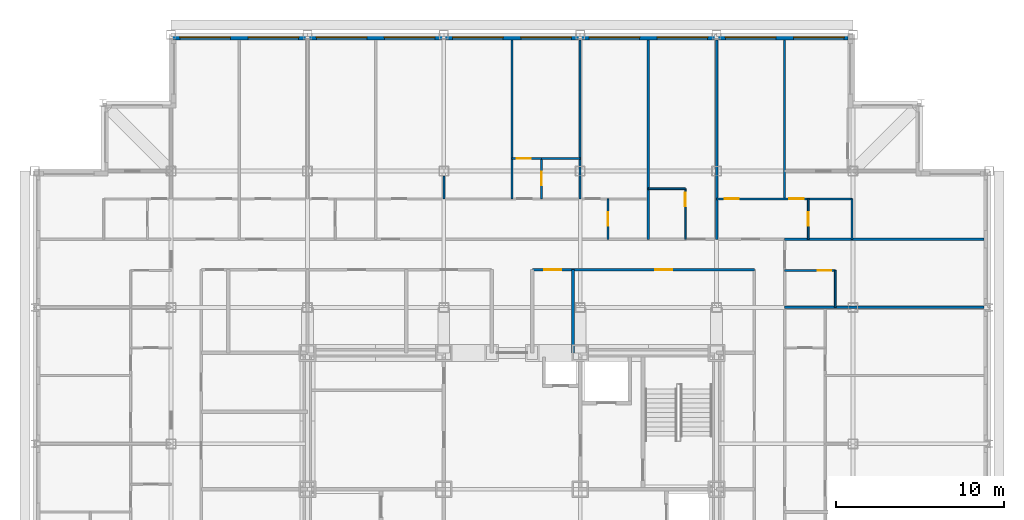
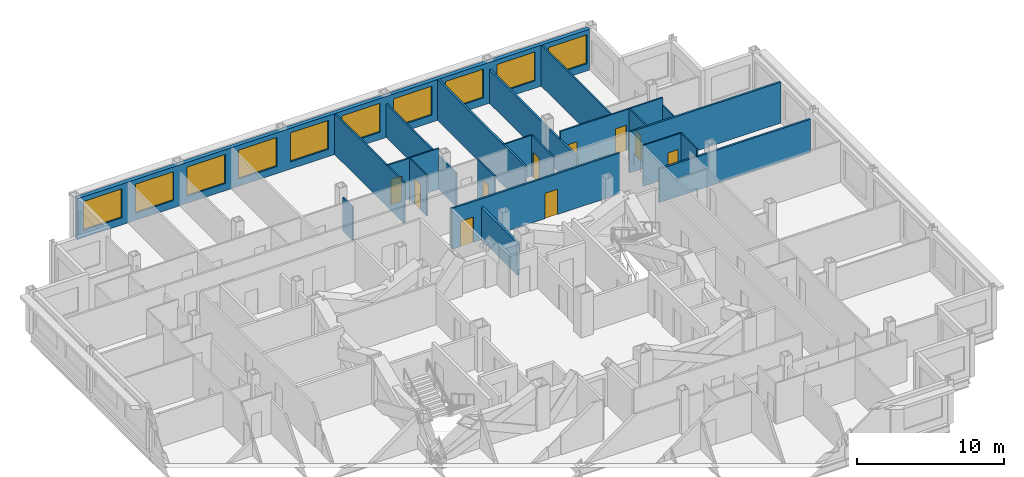
# One storey, part 10 of 12: 22 walls, 10 doors, 10 windows, 20 openings.
"""IFC4 building model written with IfcOpenShell, lengths in metres."""

import ifcopenshell
import ifcopenshell.guid

model = None  # the IFC model being written
_history = None  # IfcOwnerHistory: only IFC2X3 demands one
_inside = {}  # id of a spatial element -> (the spatial element, [elements in it])
_under = {}  # id of a project, library or spatial element -> (it, [spatial elements below it])
_declared = {}  # id of a project -> (the project, [libraries it declares])
_typed = {}  # id of a type object -> (the type object, [elements of that type])
_made_of = {}  # id of a material, layer set ... -> (it, [elements and type objects made of it])


def new_model(schema):
    """Start an empty IFC model of exactly this schema.

    Asked for "IFC4X3", IfcOpenShell would pick the latest addendum, in which some entities
    have other attributes; the version numbers below select the first issue.
    IFC2X3 requires an IfcOwnerHistory on every rooted entity: one is made here for all.
    """
    global model, _history
    if schema == "IFC4X3":
        model = ifcopenshell.file(schema_version=(4, 3, 0, 0))
    else:
        model = ifcopenshell.file(schema=schema)
    _inside.clear()
    _under.clear()
    _declared.clear()
    _typed.clear()
    _made_of.clear()
    _history = None
    if model.schema == "IFC2X3":
        org = make("IfcOrganization", Name="unknown")
        user = make(
            "IfcPersonAndOrganization",
            ThePerson=make("IfcPerson", FamilyName="unknown"),
            TheOrganization=org,
        )
        app = make(
            "IfcApplication",
            ApplicationDeveloper=org,
            Version="unknown",
            ApplicationFullName="unknown",
            ApplicationIdentifier="unknown",
        )
        _history = make(
            "IfcOwnerHistory",
            OwningUser=user,
            OwningApplication=app,
            ChangeAction="ADDED",
            CreationDate=0,
        )
    return model


def make(cls, **values):
    """One entity of the class cls with the attributes given. An attribute that is None is left unset."""
    return model.create_entity(
        cls, **{name: value for name, value in values.items() if value is not None}
    )


def rooted(cls, **values):
    """An entity with a GlobalId (a new one), such as an element, a storey or a relation."""
    return make(cls, GlobalId=ifcopenshell.guid.new(), OwnerHistory=_history, **values)


def si_unit(unit_type, name, prefix=None):
    """IfcSIUnit, for example si_unit("LENGTHUNIT", "METRE", prefix="MILLI")."""
    return make("IfcSIUnit", UnitType=unit_type, Prefix=prefix, Name=name)


def assignment(units):
    """IfcUnitAssignment: the units of a project."""
    return None if units is None else make("IfcUnitAssignment", Units=units)


def point(xyz):
    """IfcCartesianPoint."""
    return None if xyz is None else make("IfcCartesianPoint", Coordinates=xyz)


def direction(xyz):
    """IfcDirection."""
    return None if xyz is None else make("IfcDirection", DirectionRatios=xyz)


def frame(location, z_axis=None, x_axis=None):
    """IfcAxis2Placement3D, a coordinate frame: its origin and axes. An axis left out is left unset."""
    return make(
        "IfcAxis2Placement3D",
        Location=point(location),
        Axis=direction(z_axis),
        RefDirection=direction(x_axis),
    )


def frame_2d(location, x_axis=None):
    """IfcAxis2Placement2D, a coordinate frame in the plane: its origin and x axis."""
    return make(
        "IfcAxis2Placement2D", Location=point(location), RefDirection=direction(x_axis)
    )


def origin():
    """The frame at (0, 0, 0) with its axes left unset."""
    return frame((0.0, 0.0, 0.0))


def place(relative_to, where):
    """IfcLocalPlacement: puts the frame where relative to a parent placement (None: the world)."""
    return make(
        "IfcLocalPlacement", PlacementRelTo=relative_to, RelativePlacement=where
    )


def context(
    kind, dimensions, precision=None, world=None, true_north=None, identifier=None
):
    """IfcGeometricRepresentationContext, for example the 3D "Model" context."""
    return make(
        "IfcGeometricRepresentationContext",
        ContextIdentifier=identifier,
        ContextType=kind,
        CoordinateSpaceDimension=dimensions,
        Precision=precision,
        WorldCoordinateSystem=world,
        TrueNorth=true_north,
    )


def subcontext(parent, identifier, kind, view, scale=None):
    """IfcGeometricRepresentationSubContext, for example "Body" below "Model"."""
    return make(
        "IfcGeometricRepresentationSubContext",
        ContextIdentifier=identifier,
        ContextType=kind,
        ParentContext=parent,
        TargetScale=scale,
        TargetView=view,
    )


def project(units=None, contexts=None):
    """IfcProject with its units and contexts."""
    return rooted(
        "IfcProject",
        Name="project",
        RepresentationContexts=contexts,
        UnitsInContext=assignment(units),
    )


def spatial(cls, under=None, at=None, **own):
    """A site, building, storey or space (cls), placed at a placement, below another one or the project."""
    s = rooted(cls, ObjectPlacement=at, **own)
    if under is not None:
        _under.setdefault(under.id(), (under, []))[1].append(s)
    return s


def profile(cls, at=None, kind="AREA", **sizes):
    """A parametric profile (cls). Its sizes go by their IFC names, for example OverallWidth=200.0."""
    return make(cls, ProfileType=kind, Position=at, **sizes)


def rectangle(**sizes):
    """IfcRectangleProfileDef."""
    return profile("IfcRectangleProfileDef", **sizes)


def extrude(swept, where, along, depth):
    """IfcExtrudedAreaSolid: the profile swept, set in the frame where, extruded along a direction by depth."""
    return make(
        "IfcExtrudedAreaSolid",
        SweptArea=swept,
        Position=where,
        ExtrudedDirection=direction(along),
        Depth=depth,
    )


def shape(context_of_items, identifier, shape_type, items):
    """IfcShapeRepresentation: the items that make up one representation, for example the "Body"."""
    return make(
        "IfcShapeRepresentation",
        ContextOfItems=context_of_items,
        RepresentationIdentifier=identifier,
        RepresentationType=shape_type,
        Items=items,
    )


def material(Name=None, Category=None):
    """IfcMaterial."""
    return make("IfcMaterial", Name=Name, Category=Category)


def layer(
    of_material, thickness, ventilated=None, Name=None, Category=None, Priority=None
):
    """IfcMaterialLayer: one layer of a wall or slab, of a material (None: an air gap)."""
    return make(
        "IfcMaterialLayer",
        Material=of_material,
        LayerThickness=thickness,
        IsVentilated=ventilated,
        Name=Name,
        Category=Category,
        Priority=Priority,
    )


def layer_set(layers, Name=None):
    """IfcMaterialLayerSet."""
    return make("IfcMaterialLayerSet", MaterialLayers=layers, LayerSetName=Name)


def made_of(thing, what):
    """Note that an element or type object is made of a material, layer set ...; save() writes the relation."""
    if what is not None:
        _made_of.setdefault(what.id(), (what, []))[1].append(thing)
    return thing


def type_object(cls, material=None, **own):
    """A type object (cls), such as IfcWallType, which elements share."""
    return made_of(rooted(cls, **own), material)


def element(
    cls,
    number,
    at=None,
    inside=None,
    cuts=None,
    type_object=None,
    material=None,
    context=None,
    identifier="Body",
    shape_type=None,
    held_by="IfcProductDefinitionShape",
    body=None,
    shapes=None,
    **own,
):
    """One element of the class cls, such as IfcWall. Its Tag is "e" and its number.

    at: its placement. inside: the storey or other place that contains it. cuts: it is an
    opening in that element (IfcRelVoidsElement). A single representation is given by context,
    identifier, shape_type and body (its items); several are given by shapes. held_by: the class
    of the entity that holds the representations. save() writes the other relations.
    """
    e = rooted(cls, Tag="e%d" % number, ObjectPlacement=at, **own)
    if body is not None:
        shapes = [shape(context, identifier, shape_type, body)]
    if shapes is not None:
        e.Representation = make(held_by, Representations=shapes)
    if inside is not None:
        _inside.setdefault(inside.id(), (inside, []))[1].append(e)
    if cuts is not None:
        rooted(
            "IfcRelVoidsElement", RelatingBuildingElement=cuts, RelatedOpeningElement=e
        )
    if type_object is not None:
        _typed.setdefault(type_object.id(), (type_object, []))[1].append(e)
    return made_of(e, material)


def fill(opening, filler):
    """IfcRelFillsElement: the door or window that sits in an opening."""
    return rooted(
        "IfcRelFillsElement",
        RelatingOpeningElement=opening,
        RelatedBuildingElement=filler,
    )


def aggregate(whole, parts):
    """IfcRelAggregates: a whole, such as a stair, and the parts it consists of."""
    return rooted("IfcRelAggregates", RelatingObject=whole, RelatedObjects=parts)


def save(model, path):
    """Write the relations noted so far, then the file.

    IfcRelAggregates (storeys below a building ...), IfcRelContainedInSpatialStructure (elements
    in a storey), IfcRelDefinesByType, IfcRelAssociatesMaterial and IfcRelDeclares: one each for
    every whole, place, type object, material and project.
    """
    for whole, parts in _under.values():
        aggregate(whole, parts)
    for where, things in _inside.values():
        rooted(
            "IfcRelContainedInSpatialStructure",
            RelatedElements=things,
            RelatingStructure=where,
        )
    for kind, things in _typed.values():
        rooted("IfcRelDefinesByType", RelatedObjects=things, RelatingType=kind)
    for what, things in _made_of.values():
        rooted("IfcRelAssociatesMaterial", RelatedObjects=things, RelatingMaterial=what)
    for by, libraries in _declared.values():
        rooted("IfcRelDeclares", RelatingContext=by, RelatedDefinitions=libraries)
    model.write(path)


model = new_model("IFC4")

# Units and contexts
model_context = context("Model", 3, precision=1e-05, world=origin(), true_north=direction((0.0, 1.0)))
body_context = subcontext(model_context, "Body", "Model", "MODEL_VIEW")
ifc_project = project(units=[si_unit("LENGTHUNIT", "METRE"), si_unit("AREAUNIT", "SQUARE_METRE"), si_unit("VOLUMEUNIT", "CUBIC_METRE"), si_unit("PLANEANGLEUNIT", "RADIAN"), si_unit("MASSUNIT", "GRAM", prefix="KILO")], contexts=[model_context])

# Site, building, storey
site_placement = place(None, origin())
site = spatial("IfcSite", under=ifc_project, at=site_placement, CompositionType="ELEMENT")
building_placement = place(site_placement, origin())
building = spatial("IfcBuilding", under=site, at=building_placement, Name="Kopane Lantern Tower", CompositionType="ELEMENT")
storey_placement = place(building_placement, frame((0.0, 0.0, 210.0)))
storey = spatial("IfcBuildingStorey", under=building, at=storey_placement, Name="L54", CompositionType="ELEMENT", Elevation=210.0)

# Walls
ifc_material_1 = material(Name="Gypsum board on steel studs", Category="steel")
ifc_layer_1 = layer(ifc_material_1, 0.1201171875)
ifc_layer_set_1 = layer_set([ifc_layer_1], Name="APARTMENT INTERNAL WALL 120")
wall_type_1 = type_object("IfcWallType", Name="APARTMENT INTERNAL WALL 120", PredefinedType="PARTITIONING", material=ifc_layer_set_1)
wall_1_placement = place(storey_placement, frame((28.35009765625, 49.64990234375, 0.0), z_axis=(0.0, 0.0, 1.0), x_axis=(0.0, 1.0, 0.0)))
element("IfcWall", 1, at=wall_1_placement, inside=storey, type_object=wall_type_1, Name="Apartment Internal Wall 120 L54", PredefinedType="PARTITIONING", context=body_context, shape_type="SweptSolid", body=[
    extrude(rectangle(XDim=9.4501953125, YDim=0.1201171875, at=frame_2d((4.72509765625, 0.0))), origin(), (0.0, 0.0, 1.0), 3.389892578125),
])
wall_2_placement = place(storey_placement, frame((32.39990234375, 49.64990234375, 0.0), z_axis=(0.0, 0.0, 1.0), x_axis=(0.0, 1.0, 0.0)))
element("IfcWall", 2, at=wall_2_placement, inside=storey, type_object=wall_type_1, Name="Apartment Internal Wall 120 L54", PredefinedType="PARTITIONING", context=body_context, shape_type="SweptSolid", body=[
    extrude(rectangle(XDim=9.4501953125, YDim=0.1201171875, at=frame_2d((4.72509765625, 0.0))), origin(), (0.0, 0.0, 1.0), 2.77783203125),
])

# Wall, openings, doors
wall_3_placement = place(storey_placement, frame((40.5, 49.64990234375, 0.0), z_axis=(0.0, 0.0, 1.0), x_axis=(1.0, 0.0, 0.0)))
wall_3 = element("IfcWall", 3, at=wall_3_placement, inside=storey, type_object=wall_type_1, Name="Apartment Internal Wall 120 L54", PredefinedType="PARTITIONING", context=body_context, shape_type="SweptSolid", body=[
    extrude(rectangle(XDim=8.050048828125, YDim=0.1201171875, at=frame_2d((4.02490234375, 0.0))), origin(), (0.0, 0.0, 1.0), 3.389892578125),
])
opening_1_placement = place(wall_3_placement, frame((0.47509765625, 0.0, 0.0)))
opening_1 = element("IfcOpeningElement", 4, at=opening_1_placement, cuts=wall_3, Name="Opening L54-071", PredefinedType="OPENING", context=body_context, shape_type="SweptSolid", body=[
    extrude(rectangle(XDim=0.85009765625, YDim=2.10009765625, at=frame_2d((0.425048828125, 1.050048828125))), frame((0.0, 0.070068359375, 0.0), z_axis=(0.0, -1.0, 0.0), x_axis=(1.0, 0.0, 0.0)), (0.0, 0.0, 1.0), 0.14013671875),
])
opening_2_placement = place(wall_3_placement, frame((4.324951171875, 0.0, 0.0)))
opening_2 = element("IfcOpeningElement", 5, at=opening_2_placement, cuts=wall_3, Name="Opening L54-073", PredefinedType="OPENING", context=body_context, shape_type="SweptSolid", body=[
    extrude(rectangle(XDim=0.85009765625, YDim=2.10009765625, at=frame_2d((0.425048828125, 1.050048828125))), frame((0.0, 0.070068359375, 0.0), z_axis=(0.0, -1.0, 0.0), x_axis=(1.0, 0.0, 0.0)), (0.0, 0.0, 1.0), 0.14013671875),
])
ifc_material_2 = material(Name="Timber door set", Category="wood")
door_type_1 = type_object("IfcDoorType", Name="DOOR D4 850x2100", OperationType="SINGLE_SWING_LEFT", PredefinedType="DOOR", material=ifc_material_2)
door_1_placement = place(opening_1_placement, origin())
door_1 = element("IfcDoor", 6, at=door_1_placement, inside=storey, type_object=door_type_1, Name="Door L54-071", OperationType="SINGLE_SWING_RIGHT", OverallHeight=2.10009765625, OverallWidth=0.85009765625, PredefinedType="DOOR", context=body_context, shape_type="SweptSolid", body=[
    extrude(rectangle(XDim=0.85009765625, YDim=2.10009765625, at=frame_2d((0.425048828125, 1.050048828125))), frame((0.0, 0.02490234375, 0.0), z_axis=(0.0, -1.0, 0.0), x_axis=(1.0, 0.0, 0.0)), (0.0, 0.0, 1.0), 0.050048828125),
])
fill(opening_1, door_1)
door_2_placement = place(opening_2_placement, origin())
door_2 = element("IfcDoor", 7, at=door_2_placement, inside=storey, type_object=door_type_1, Name="Door L54-073", OperationType="SINGLE_SWING_LEFT", OverallHeight=2.10009765625, OverallWidth=0.85009765625, PredefinedType="DOOR", context=body_context, shape_type="SweptSolid", body=[
    extrude(rectangle(XDim=0.85009765625, YDim=2.10009765625, at=frame_2d((0.425048828125, 1.050048828125))), frame((0.0, 0.02490234375, 0.0), z_axis=(0.0, -1.0, 0.0), x_axis=(1.0, 0.0, 0.0)), (0.0, 0.0, 1.0), 0.050048828125),
])
fill(opening_2, door_2)

# Wall
wall_4_placement = place(storey_placement, frame((44.550048828125, 49.64990234375, 0.0), z_axis=(0.0, 0.0, 1.0), x_axis=(0.0, 1.0, 0.0)))
element("IfcWall", 8, at=wall_4_placement, inside=storey, type_object=wall_type_1, Name="Apartment Internal Wall 120 L54", PredefinedType="PARTITIONING", context=body_context, shape_type="SweptSolid", body=[
    extrude(rectangle(XDim=9.4501953125, YDim=0.1201171875, at=frame_2d((4.72509765625, 0.0))), origin(), (0.0, 0.0, 1.0), 3.389892578125),
])

# Wall, opening, door
wall_5_placement = place(storey_placement, frame((28.35009765625, 52.050048828125, 0.0), z_axis=(0.0, 0.0, 1.0), x_axis=(1.0, 0.0, 0.0)))
wall_5 = element("IfcWall", 9, at=wall_5_placement, inside=storey, type_object=wall_type_1, Name="Apartment Internal Wall 120 L54", PredefinedType="PARTITIONING", context=body_context, shape_type="SweptSolid", body=[
    extrude(rectangle(XDim=1.760009765625, YDim=0.1201171875, at=frame_2d((0.8798828125, 0.0))), origin(), (0.0, 0.0, 1.0), 3.389892578125),
])
opening_3_placement = place(wall_5_placement, frame((0.27490234375, 0.0, 0.0)))
opening_3 = element("IfcOpeningElement", 10, at=opening_3_placement, cuts=wall_5, Name="Opening L54-081", PredefinedType="OPENING", context=body_context, shape_type="SweptSolid", body=[
    extrude(rectangle(XDim=0.85009765625, YDim=2.10009765625, at=frame_2d((0.425048828125, 1.050048828125))), frame((0.0, 0.070068359375, 0.0), z_axis=(0.0, -1.0, 0.0), x_axis=(1.0, 0.0, 0.0)), (0.0, 0.0, 1.0), 0.14013671875),
])
door_3_placement = place(opening_3_placement, origin())
door_3 = element("IfcDoor", 11, at=door_3_placement, inside=storey, type_object=door_type_1, Name="Door L54-081", OperationType="SINGLE_SWING_LEFT", OverallHeight=2.10009765625, OverallWidth=0.85009765625, PredefinedType="DOOR", context=body_context, shape_type="SweptSolid", body=[
    extrude(rectangle(XDim=0.85009765625, YDim=2.10009765625, at=frame_2d((0.425048828125, 1.050048828125))), frame((0.0, 0.02490234375, 0.0), z_axis=(0.0, -1.0, 0.0), x_axis=(1.0, 0.0, 0.0)), (0.0, 0.0, 1.0), 0.050048828125),
])
fill(opening_3, door_3)

# Wall
wall_6_placement = place(storey_placement, frame((24.300048828125, 49.64990234375, 0.0), z_axis=(0.0, 0.0, 1.0), x_axis=(0.0, 1.0, 0.0)))
element("IfcWall", 12, at=wall_6_placement, inside=storey, type_object=wall_type_1, Name="Apartment Internal Wall 120 L54", PredefinedType="PARTITIONING", context=body_context, shape_type="SweptSolid", body=[
    extrude(rectangle(XDim=1.35009765625, YDim=0.1201171875, at=frame_2d((0.675048828125, 0.0))), origin(), (0.0, 0.0, 1.0), 2.77783203125),
])

# Wall, opening, door
ifc_material_3 = material(Name="Moisture-resistant board on steel studs", Category="steel")
ifc_layer_2 = layer(ifc_material_3, 0.10009765625)
ifc_layer_set_2 = layer_set([ifc_layer_2], Name="BATHROOM WALL 100")
wall_type_2 = type_object("IfcWallType", Name="BATHROOM WALL 100", PredefinedType="PARTITIONING", material=ifc_layer_set_2)
wall_7_placement = place(storey_placement, frame((34.050048828125, 47.25, 0.0), z_axis=(0.0, 0.0, 1.0), x_axis=(0.0, 1.0, 0.0)))
wall_7 = element("IfcWall", 13, at=wall_7_placement, inside=storey, type_object=wall_type_2, Name="Bathroom Wall 100 L54", PredefinedType="PARTITIONING", context=body_context, shape_type="SweptSolid", body=[
    extrude(rectangle(XDim=2.39990234375, YDim=0.10009765625, at=frame_2d((1.199951171875, 0.0))), origin(), (0.0, 0.0, 1.0), 3.389892578125),
])
opening_4_placement = place(wall_7_placement, frame((0.800048828125, 0.0, 0.0)))
opening_4 = element("IfcOpeningElement", 14, at=opening_4_placement, cuts=wall_7, Name="Opening L54-033", PredefinedType="OPENING", context=body_context, shape_type="SweptSolid", body=[
    extrude(rectangle(XDim=0.800048828125, YDim=2.10009765625, at=frame_2d((0.39990234375, 1.050048828125))), frame((0.0, 0.06005859375, 0.0), z_axis=(0.0, -1.0, 0.0), x_axis=(1.0, 0.0, 0.0)), (0.0, 0.0, 1.0), 0.1201171875),
])
ifc_material_4 = material(Name="Timber door set", Category="wood")
door_type_2 = type_object("IfcDoorType", Name="DOOR D2 800x2100", OperationType="SINGLE_SWING_LEFT", PredefinedType="DOOR", material=ifc_material_4)
door_4_placement = place(opening_4_placement, origin())
door_4 = element("IfcDoor", 15, at=door_4_placement, inside=storey, type_object=door_type_2, Name="Door L54-033", OperationType="SINGLE_SWING_RIGHT", OverallHeight=2.10009765625, OverallWidth=0.800048828125, PredefinedType="DOOR", context=body_context, shape_type="SweptSolid", body=[
    extrude(rectangle(XDim=0.800048828125, YDim=2.10009765625, at=frame_2d((0.39990234375, 1.050048828125))), frame((0.0, 0.02490234375, 0.0), z_axis=(0.0, -1.0, 0.0), x_axis=(1.0, 0.0, 0.0)), (0.0, 0.0, 1.0), 0.050048828125),
])
fill(opening_4, door_4)

wall_8_placement = place(storey_placement, frame((30.10009765625, 49.64990234375, 0.0), z_axis=(0.0, 0.0, 1.0), x_axis=(0.0, 1.0, 0.0)))
wall_8 = element("IfcWall", 16, at=wall_8_placement, inside=storey, type_object=wall_type_2, Name="Bathroom Wall 100 L54", PredefinedType="PARTITIONING", context=body_context, shape_type="SweptSolid", body=[
    extrude(rectangle(XDim=2.400146484375, YDim=0.10009765625, at=frame_2d((1.2001953125, 0.0))), origin(), (0.0, 0.0, 1.0), 3.389892578125),
])
opening_5_placement = place(wall_8_placement, frame((0.800048828125, 0.0, 0.0)))
opening_5 = element("IfcOpeningElement", 17, at=opening_5_placement, cuts=wall_8, Name="Opening L54-036", PredefinedType="OPENING", context=body_context, shape_type="SweptSolid", body=[
    extrude(rectangle(XDim=0.800048828125, YDim=2.10009765625, at=frame_2d((0.39990234375, 1.050048828125))), frame((0.0, 0.06005859375, 0.0), z_axis=(0.0, -1.0, 0.0), x_axis=(1.0, 0.0, 0.0)), (0.0, 0.0, 1.0), 0.1201171875),
])
door_5_placement = place(opening_5_placement, origin())
door_5 = element("IfcDoor", 18, at=door_5_placement, inside=storey, type_object=door_type_2, Name="Door L54-036", OperationType="SINGLE_SWING_RIGHT", OverallHeight=2.10009765625, OverallWidth=0.800048828125, PredefinedType="DOOR", context=body_context, shape_type="SweptSolid", body=[
    extrude(rectangle(XDim=0.800048828125, YDim=2.10009765625, at=frame_2d((0.39990234375, 1.050048828125))), frame((0.0, 0.02490234375, 0.0), z_axis=(0.0, -1.0, 0.0), x_axis=(1.0, 0.0, 0.0)), (0.0, 0.0, 1.0), 0.050048828125),
])
fill(opening_5, door_5)

# Walls
wall_9_placement = place(storey_placement, frame((30.10009765625, 52.050048828125, 0.0), z_axis=(0.0, 0.0, 1.0), x_axis=(1.0, 0.0, 0.0)))
element("IfcWall", 19, at=wall_9_placement, inside=storey, type_object=wall_type_2, Name="Bathroom Wall 100 L54", PredefinedType="PARTITIONING", context=body_context, shape_type="SweptSolid", body=[
    extrude(rectangle(XDim=2.2998046875, YDim=0.10009765625, at=frame_2d((1.14990234375, 0.0))), origin(), (0.0, 0.0, 1.0), 3.389892578125),
])
wall_10_placement = place(storey_placement, frame((36.449951171875, 50.25, 0.0), z_axis=(0.0, 0.0, 1.0), x_axis=(1.0, 0.0, 0.0)))
element("IfcWall", 20, at=wall_10_placement, inside=storey, type_object=wall_type_2, Name="Bathroom Wall 100 L54", PredefinedType="PARTITIONING", context=body_context, shape_type="SweptSolid", body=[
    extrude(rectangle(XDim=2.199951171875, YDim=0.10009765625, at=frame_2d((1.10009765625, 0.0))), origin(), (0.0, 0.0, 1.0), 3.389892578125),
])

# Wall, opening, door
wall_11_placement = place(storey_placement, frame((38.64990234375, 47.25, 0.0), z_axis=(0.0, 0.0, 1.0), x_axis=(0.0, 1.0, 0.0)))
wall_11 = element("IfcWall", 21, at=wall_11_placement, inside=storey, type_object=wall_type_2, Name="Bathroom Wall 100 L54", PredefinedType="PARTITIONING", context=body_context, shape_type="SweptSolid", body=[
    extrude(rectangle(XDim=3.0, YDim=0.10009765625, at=frame_2d((1.5, 0.0))), origin(), (0.0, 0.0, 1.0), 3.389892578125),
])
opening_6_placement = place(wall_11_placement, frame((1.949951171875, 0.0, 0.0)))
opening_6 = element("IfcOpeningElement", 22, at=opening_6_placement, cuts=wall_11, Name="Opening L54-039", PredefinedType="OPENING", context=body_context, shape_type="SweptSolid", body=[
    extrude(rectangle(XDim=0.800048828125, YDim=2.10009765625, at=frame_2d((0.39990234375, 1.050048828125))), frame((0.0, 0.06005859375, 0.0), z_axis=(0.0, -1.0, 0.0), x_axis=(1.0, 0.0, 0.0)), (0.0, 0.0, 1.0), 0.1201171875),
])
door_6_placement = place(opening_6_placement, origin())
door_6 = element("IfcDoor", 23, at=door_6_placement, inside=storey, type_object=door_type_2, Name="Door L54-039", OperationType="SINGLE_SWING_RIGHT", OverallHeight=2.10009765625, OverallWidth=0.800048828125, PredefinedType="DOOR", context=body_context, shape_type="SweptSolid", body=[
    extrude(rectangle(XDim=0.800048828125, YDim=2.10009765625, at=frame_2d((0.39990234375, 1.050048828125))), frame((0.0, 0.02490234375, 0.0), z_axis=(0.0, -1.0, 0.0), x_axis=(1.0, 0.0, 0.0)), (0.0, 0.0, 1.0), 0.050048828125),
])
fill(opening_6, door_6)

# Wall
wall_12_placement = place(storey_placement, frame((47.550048828125, 43.199951171875, 0.0), z_axis=(0.0, 0.0, 1.0), x_axis=(0.0, 1.0, 0.0)))
element("IfcWall", 24, at=wall_12_placement, inside=storey, type_object=wall_type_2, Name="Bathroom Wall 100 L54", PredefinedType="PARTITIONING", context=body_context, shape_type="SweptSolid", body=[
    extrude(rectangle(XDim=2.199951171875, YDim=0.10009765625, at=frame_2d((1.10009765625, 0.0))), origin(), (0.0, 0.0, 1.0), 3.389892578125),
])

# Wall, opening, door
wall_13_placement = place(storey_placement, frame((44.550048828125, 45.39990234375, 0.0), z_axis=(0.0, 0.0, 1.0), x_axis=(1.0, 0.0, 0.0)))
wall_13 = element("IfcWall", 25, at=wall_13_placement, inside=storey, type_object=wall_type_2, Name="Bathroom Wall 100 L54", PredefinedType="PARTITIONING", context=body_context, shape_type="SweptSolid", body=[
    extrude(rectangle(XDim=3.0, YDim=0.10009765625, at=frame_2d((1.5, 0.0))), origin(), (0.0, 0.0, 1.0), 3.389892578125),
])
opening_7_placement = place(wall_13_placement, frame((1.949951171875, 0.0, 0.0)))
opening_7 = element("IfcOpeningElement", 26, at=opening_7_placement, cuts=wall_13, Name="Opening L54-061", PredefinedType="OPENING", context=body_context, shape_type="SweptSolid", body=[
    extrude(rectangle(XDim=0.800048828125, YDim=2.10009765625, at=frame_2d((0.39990234375, 1.050048828125))), frame((0.0, 0.06005859375, 0.0), z_axis=(0.0, -1.0, 0.0), x_axis=(1.0, 0.0, 0.0)), (0.0, 0.0, 1.0), 0.1201171875),
])
door_7_placement = place(opening_7_placement, origin())
door_7 = element("IfcDoor", 27, at=door_7_placement, inside=storey, type_object=door_type_2, Name="Door L54-061", OperationType="SINGLE_SWING_LEFT", OverallHeight=2.10009765625, OverallWidth=0.800048828125, PredefinedType="DOOR", context=body_context, shape_type="SweptSolid", body=[
    extrude(rectangle(XDim=0.800048828125, YDim=2.10009765625, at=frame_2d((0.39990234375, 1.050048828125))), frame((0.0, 0.02490234375, 0.0), z_axis=(0.0, -1.0, 0.0), x_axis=(1.0, 0.0, 0.0)), (0.0, 0.0, 1.0), 0.050048828125),
])
fill(opening_7, door_7)

wall_14_placement = place(storey_placement, frame((45.949951171875, 47.25, 0.0), z_axis=(0.0, 0.0, 1.0), x_axis=(0.0, 1.0, 0.0)))
wall_14 = element("IfcWall", 28, at=wall_14_placement, inside=storey, type_object=wall_type_2, Name="Bathroom Wall 100 L54", PredefinedType="PARTITIONING", context=body_context, shape_type="SweptSolid", body=[
    extrude(rectangle(XDim=2.39990234375, YDim=0.10009765625, at=frame_2d((1.199951171875, 0.0))), origin(), (0.0, 0.0, 1.0), 3.389892578125),
])
opening_8_placement = place(wall_14_placement, frame((0.800048828125, 0.0, 0.0)))
opening_8 = element("IfcOpeningElement", 29, at=opening_8_placement, cuts=wall_14, Name="Opening L54-072", PredefinedType="OPENING", context=body_context, shape_type="SweptSolid", body=[
    extrude(rectangle(XDim=0.800048828125, YDim=2.10009765625, at=frame_2d((0.39990234375, 1.050048828125))), frame((0.0, 0.06005859375, 0.0), z_axis=(0.0, -1.0, 0.0), x_axis=(1.0, 0.0, 0.0)), (0.0, 0.0, 1.0), 0.1201171875),
])
door_8_placement = place(opening_8_placement, origin())
door_8 = element("IfcDoor", 30, at=door_8_placement, inside=storey, type_object=door_type_2, Name="Door L54-072", OperationType="SINGLE_SWING_RIGHT", OverallHeight=2.10009765625, OverallWidth=0.800048828125, PredefinedType="DOOR", context=body_context, shape_type="SweptSolid", body=[
    extrude(rectangle(XDim=0.800048828125, YDim=2.10009765625, at=frame_2d((0.39990234375, 1.050048828125))), frame((0.0, 0.02490234375, 0.0), z_axis=(0.0, -1.0, 0.0), x_axis=(1.0, 0.0, 0.0)), (0.0, 0.0, 1.0), 0.050048828125),
])
fill(opening_8, door_8)

# Wall
wall_15_placement = place(storey_placement, frame((48.550048828125, 47.25, 0.0), z_axis=(0.0, 0.0, 1.0), x_axis=(0.0, 1.0, 0.0)))
element("IfcWall", 31, at=wall_15_placement, inside=storey, type_object=wall_type_2, Name="Bathroom Wall 100 L54", PredefinedType="PARTITIONING", context=body_context, shape_type="SweptSolid", body=[
    extrude(rectangle(XDim=2.39990234375, YDim=0.10009765625, at=frame_2d((1.199951171875, 0.0))), origin(), (0.0, 0.0, 1.0), 2.77783203125),
])

# Wall, openings, doors
ifc_material_5 = material(Name="Gypsum board on steel studs", Category="steel")
ifc_layer_3 = layer(ifc_material_5, 0.14990234375)
ifc_layer_set_3 = layer_set([ifc_layer_3], Name="CORRIDOR WALL 150 EI 60")
wall_type_3 = type_object("IfcWallType", Name="CORRIDOR WALL 150 EI 60", PredefinedType="PARTITIONING", material=ifc_layer_set_3)
wall_16_placement = place(storey_placement, frame((42.75, 45.449951171875, 0.0), z_axis=(0.0, 0.0, 1.0), x_axis=(-1.0, 0.0, 0.0)))
wall_16 = element("IfcWall", 32, at=wall_16_placement, inside=storey, type_object=wall_type_3, Name="Corridor Wall 150 Ei 60 L54", PredefinedType="PARTITIONING", context=body_context, shape_type="SweptSolid", body=[
    extrude(rectangle(XDim=13.18994140625, YDim=0.14990234375, at=frame_2d((6.594970703125, 0.0))), origin(), (0.0, 0.0, 1.0), 3.389892578125),
])
opening_9_placement = place(wall_16_placement, frame((11.48779296875, 0.0, 0.0)))
opening_9 = element("IfcOpeningElement", 33, at=opening_9_placement, cuts=wall_16, Name="Opening L54-015", PredefinedType="OPENING", context=body_context, shape_type="SweptSolid", body=[
    extrude(rectangle(XDim=1.0, YDim=2.10009765625, at=frame_2d((0.5, 1.050048828125))), frame((0.0, 0.0849609375, 0.0), z_axis=(0.0, -1.0, 0.0), x_axis=(1.0, 0.0, 0.0)), (0.0, 0.0, 1.0), 0.169921875),
])
opening_10_placement = place(wall_16_placement, frame((4.887939453125, 0.0, 0.0)))
opening_10 = element("IfcOpeningElement", 34, at=opening_10_placement, cuts=wall_16, Name="Opening L54-016", PredefinedType="OPENING", context=body_context, shape_type="SweptSolid", body=[
    extrude(rectangle(XDim=1.0, YDim=2.10009765625, at=frame_2d((0.5, 1.050048828125))), frame((0.0, 0.0849609375, 0.0), z_axis=(0.0, -1.0, 0.0), x_axis=(1.0, 0.0, 0.0)), (0.0, 0.0, 1.0), 0.169921875),
])
ifc_material_6 = material(Name="Steel door set", Category="steel")
door_type_3 = type_object("IfcDoorType", Name="DOOR D5 1000x2100 FD60", OperationType="SINGLE_SWING_LEFT", PredefinedType="DOOR", material=ifc_material_6)
door_9_placement = place(opening_9_placement, origin())
door_9 = element("IfcDoor", 35, at=door_9_placement, inside=storey, type_object=door_type_3, Name="Door L54-015", OperationType="SINGLE_SWING_RIGHT", OverallHeight=2.10009765625, OverallWidth=1.0, PredefinedType="DOOR", context=body_context, shape_type="SweptSolid", body=[
    extrude(rectangle(XDim=1.0, YDim=2.10009765625, at=frame_2d((0.5, 1.050048828125))), frame((0.0, 0.02490234375, 0.0), z_axis=(0.0, -1.0, 0.0), x_axis=(1.0, 0.0, 0.0)), (0.0, 0.0, 1.0), 0.050048828125),
])
fill(opening_9, door_9)
door_10_placement = place(opening_10_placement, origin())
door_10 = element("IfcDoor", 36, at=door_10_placement, inside=storey, type_object=door_type_3, Name="Door L54-016", OperationType="SINGLE_SWING_LEFT", OverallHeight=2.10009765625, OverallWidth=1.0, PredefinedType="DOOR", context=body_context, shape_type="SweptSolid", body=[
    extrude(rectangle(XDim=1.0, YDim=2.10009765625, at=frame_2d((0.5, 1.050048828125))), frame((0.0, 0.02490234375, 0.0), z_axis=(0.0, -1.0, 0.0), x_axis=(1.0, 0.0, 0.0)), (0.0, 0.0, 1.0), 0.050048828125),
])
fill(opening_10, door_10)

# Walls
ifc_material_7 = material(Name="Gypsum board on steel studs", Category="steel")
ifc_layer_4 = layer(ifc_material_7, 0.14990234375)
ifc_layer_set_4 = layer_set([ifc_layer_4], Name="DEMISING WALL 150 EI 60")
wall_type_4 = type_object("IfcWallType", Name="DEMISING WALL 150 EI 60", PredefinedType="PARTITIONING", material=ifc_layer_set_4)
wall_17_placement = place(storey_placement, frame((36.449951171875, 47.25, 0.0), z_axis=(0.0, 0.0, 1.0), x_axis=(0.0, 1.0, 0.0)))
element("IfcWall", 37, at=wall_17_placement, inside=storey, type_object=wall_type_4, Name="Demising Wall 150 Ei 60 L54", PredefinedType="PARTITIONING", context=body_context, shape_type="SweptSolid", body=[
    extrude(rectangle(XDim=11.85009765625, YDim=0.14990234375, at=frame_2d((5.925048828125, 0.0))), origin(), (0.0, 0.0, 1.0), 3.389892578125),
])
wall_18_placement = place(storey_placement, frame((44.550048828125, 43.199951171875, 0.0), z_axis=(0.0, 0.0, 1.0), x_axis=(1.0, 0.0, 0.0)))
element("IfcWall", 38, at=wall_18_placement, inside=storey, type_object=wall_type_4, Name="Demising Wall 150 Ei 60 L54", PredefinedType="PARTITIONING", context=body_context, shape_type="SweptSolid", body=[
    extrude(rectangle(XDim=11.849853515625, YDim=0.14990234375, at=frame_2d((5.9248046875, 0.0))), origin(), (0.0, 0.0, 1.0), 2.77783203125),
])
wall_19_placement = place(storey_placement, frame((44.550048828125, 47.25, 0.0), z_axis=(0.0, 0.0, 1.0), x_axis=(1.0, 0.0, 0.0)))
element("IfcWall", 39, at=wall_19_placement, inside=storey, type_object=wall_type_4, Name="Demising Wall 150 Ei 60 L54", PredefinedType="PARTITIONING", context=body_context, shape_type="SweptSolid", body=[
    extrude(rectangle(XDim=11.849853515625, YDim=0.14990234375, at=frame_2d((5.9248046875, 0.0))), origin(), (0.0, 0.0, 1.0), 3.389892578125),
])
wall_20_placement = place(storey_placement, frame((40.5, 47.25, 0.0), z_axis=(0.0, 0.0, 1.0), x_axis=(0.0, 1.0, 0.0)))
element("IfcWall", 40, at=wall_20_placement, inside=storey, type_object=wall_type_4, Name="Demising Wall 150 Ei 60 L54", PredefinedType="PARTITIONING", context=body_context, shape_type="SweptSolid", body=[
    extrude(rectangle(XDim=11.85009765625, YDim=0.14990234375, at=frame_2d((5.925048828125, 0.0))), origin(), (0.0, 0.0, 1.0), 2.77783203125),
])

# Wall, openings, windows
ifc_material_8 = material(Name="Terracotta rainscreen on light steel framing", Category="masonry")
ifc_layer_5 = layer(ifc_material_8, 0.300048828125)
ifc_layer_set_5 = layer_set([ifc_layer_5], Name="EXTERNAL WALL EW1 300 TERRACOTTA")
wall_type_5 = type_object("IfcWallType", Name="EXTERNAL WALL EW1 300 TERRACOTTA", PredefinedType="SOLIDWALL", material=ifc_layer_set_5)
wall_21_placement = place(storey_placement, frame((48.300048828125, 59.25, 0.0), z_axis=(0.0, 0.0, 1.0), x_axis=(-1.0, 0.0, 0.0)))
wall_21 = element("IfcWall", 41, at=wall_21_placement, inside=storey, type_object=wall_type_5, Name="External wall N L54", PredefinedType="SOLIDWALL", context=body_context, shape_type="SweptSolid", body=[
    extrude(rectangle(XDim=40.199951171875, YDim=0.300048828125, at=frame_2d((20.10009765625, 0.0))), origin(), (0.0, 0.0, 1.0), 3.389892578125),
])
opening_11_placement = place(wall_21_placement, frame((0.22509765625, 0.0, 0.60009765625)))
opening_11 = element("IfcOpeningElement", 42, at=opening_11_placement, cuts=wall_21, Name="Opening WR300240", PredefinedType="OPENING", context=body_context, shape_type="SweptSolid", body=[
    extrude(rectangle(XDim=3.0, YDim=2.39990234375, at=frame_2d((1.5, 1.199951171875))), frame((0.0, 0.159912109375, 0.0), z_axis=(0.0, -1.0, 0.0), x_axis=(1.0, 0.0, 0.0)), (0.0, 0.0, 1.0), 0.320068359375),
])
opening_12_placement = place(wall_21_placement, frame((4.27490234375, 0.0, 0.60009765625)))
opening_12 = element("IfcOpeningElement", 43, at=opening_12_placement, cuts=wall_21, Name="Opening WR300240", PredefinedType="OPENING", context=body_context, shape_type="SweptSolid", body=[
    extrude(rectangle(XDim=3.0, YDim=2.39990234375, at=frame_2d((1.5, 1.199951171875))), frame((0.0, 0.159912109375, 0.0), z_axis=(0.0, -1.0, 0.0), x_axis=(1.0, 0.0, 0.0)), (0.0, 0.0, 1.0), 0.320068359375),
])
opening_13_placement = place(wall_21_placement, frame((8.324951171875, 0.0, 0.60009765625)))
opening_13 = element("IfcOpeningElement", 44, at=opening_13_placement, cuts=wall_21, Name="Opening WR300240", PredefinedType="OPENING", context=body_context, shape_type="SweptSolid", body=[
    extrude(rectangle(XDim=3.0, YDim=2.39990234375, at=frame_2d((1.5, 1.199951171875))), frame((0.0, 0.159912109375, 0.0), z_axis=(0.0, -1.0, 0.0), x_axis=(1.0, 0.0, 0.0)), (0.0, 0.0, 1.0), 0.320068359375),
])
opening_14_placement = place(wall_21_placement, frame((12.375, 0.0, 0.60009765625)))
opening_14 = element("IfcOpeningElement", 45, at=opening_14_placement, cuts=wall_21, Name="Opening WR300240", PredefinedType="OPENING", context=body_context, shape_type="SweptSolid", body=[
    extrude(rectangle(XDim=3.0, YDim=2.39990234375, at=frame_2d((1.5, 1.199951171875))), frame((0.0, 0.159912109375, 0.0), z_axis=(0.0, -1.0, 0.0), x_axis=(1.0, 0.0, 0.0)), (0.0, 0.0, 1.0), 0.320068359375),
])
opening_15_placement = place(wall_21_placement, frame((16.425048828125, 0.0, 0.60009765625)))
opening_15 = element("IfcOpeningElement", 46, at=opening_15_placement, cuts=wall_21, Name="Opening WR300240", PredefinedType="OPENING", context=body_context, shape_type="SweptSolid", body=[
    extrude(rectangle(XDim=3.0, YDim=2.39990234375, at=frame_2d((1.5, 1.199951171875))), frame((0.0, 0.159912109375, 0.0), z_axis=(0.0, -1.0, 0.0), x_axis=(1.0, 0.0, 0.0)), (0.0, 0.0, 1.0), 0.320068359375),
])
opening_16_placement = place(wall_21_placement, frame((20.47509765625, 0.0, 0.60009765625)))
opening_16 = element("IfcOpeningElement", 47, at=opening_16_placement, cuts=wall_21, Name="Opening WR300240", PredefinedType="OPENING", context=body_context, shape_type="SweptSolid", body=[
    extrude(rectangle(XDim=3.0, YDim=2.39990234375, at=frame_2d((1.5, 1.199951171875))), frame((0.0, 0.159912109375, 0.0), z_axis=(0.0, -1.0, 0.0), x_axis=(1.0, 0.0, 0.0)), (0.0, 0.0, 1.0), 0.320068359375),
])
opening_17_placement = place(wall_21_placement, frame((24.52490234375, 0.0, 0.60009765625)))
opening_17 = element("IfcOpeningElement", 48, at=opening_17_placement, cuts=wall_21, Name="Opening WR300240", PredefinedType="OPENING", context=body_context, shape_type="SweptSolid", body=[
    extrude(rectangle(XDim=3.0, YDim=2.39990234375, at=frame_2d((1.5, 1.199951171875))), frame((0.0, 0.159912109375, 0.0), z_axis=(0.0, -1.0, 0.0), x_axis=(1.0, 0.0, 0.0)), (0.0, 0.0, 1.0), 0.320068359375),
])
opening_18_placement = place(wall_21_placement, frame((28.574951171875, 0.0, 0.60009765625)))
opening_18 = element("IfcOpeningElement", 49, at=opening_18_placement, cuts=wall_21, Name="Opening WR300240", PredefinedType="OPENING", context=body_context, shape_type="SweptSolid", body=[
    extrude(rectangle(XDim=3.0, YDim=2.39990234375, at=frame_2d((1.5, 1.199951171875))), frame((0.0, 0.159912109375, 0.0), z_axis=(0.0, -1.0, 0.0), x_axis=(1.0, 0.0, 0.0)), (0.0, 0.0, 1.0), 0.320068359375),
])
opening_19_placement = place(wall_21_placement, frame((32.625, 0.0, 0.60009765625)))
opening_19 = element("IfcOpeningElement", 50, at=opening_19_placement, cuts=wall_21, Name="Opening WR300240", PredefinedType="OPENING", context=body_context, shape_type="SweptSolid", body=[
    extrude(rectangle(XDim=3.0, YDim=2.39990234375, at=frame_2d((1.5, 1.199951171875))), frame((0.0, 0.159912109375, 0.0), z_axis=(0.0, -1.0, 0.0), x_axis=(1.0, 0.0, 0.0)), (0.0, 0.0, 1.0), 0.320068359375),
])
opening_20_placement = place(wall_21_placement, frame((36.675048828125, 0.0, 0.60009765625)))
opening_20 = element("IfcOpeningElement", 51, at=opening_20_placement, cuts=wall_21, Name="Opening WR300240", PredefinedType="OPENING", context=body_context, shape_type="SweptSolid", body=[
    extrude(rectangle(XDim=3.0, YDim=2.39990234375, at=frame_2d((1.5, 1.199951171875))), frame((0.0, 0.159912109375, 0.0), z_axis=(0.0, -1.0, 0.0), x_axis=(1.0, 0.0, 0.0)), (0.0, 0.0, 1.0), 0.320068359375),
])
ifc_material_9 = material(Name="Aluminium and clear glass", Category="aluminium")
window_type = type_object("IfcWindowType", Name="RIBBON WINDOW WR300240 3000x2400", PartitioningType="SINGLE_PANEL", PredefinedType="WINDOW", material=ifc_material_9)
window_1_placement = place(opening_11_placement, origin())
window_1 = element("IfcWindow", 52, at=window_1_placement, inside=storey, type_object=window_type, Name="Window N L54", OverallHeight=2.39990234375, OverallWidth=3.0, PartitioningType="SINGLE_PANEL", PredefinedType="WINDOW", context=body_context, shape_type="SweptSolid", body=[
    extrude(rectangle(XDim=3.0, YDim=2.39990234375, at=frame_2d((1.5, 1.199951171875))), frame((0.0, 0.030029296875, 0.0), z_axis=(0.0, -1.0, 0.0), x_axis=(1.0, 0.0, 0.0)), (0.0, 0.0, 1.0), 0.06005859375),
])
fill(opening_11, window_1)
window_2_placement = place(opening_12_placement, origin())
window_2 = element("IfcWindow", 53, at=window_2_placement, inside=storey, type_object=window_type, Name="Window N L54", OverallHeight=2.39990234375, OverallWidth=3.0, PartitioningType="SINGLE_PANEL", PredefinedType="WINDOW", context=body_context, shape_type="SweptSolid", body=[
    extrude(rectangle(XDim=3.0, YDim=2.39990234375, at=frame_2d((1.5, 1.199951171875))), frame((0.0, 0.030029296875, 0.0), z_axis=(0.0, -1.0, 0.0), x_axis=(1.0, 0.0, 0.0)), (0.0, 0.0, 1.0), 0.06005859375),
])
fill(opening_12, window_2)
window_3_placement = place(opening_13_placement, origin())
window_3 = element("IfcWindow", 54, at=window_3_placement, inside=storey, type_object=window_type, Name="Window N L54", OverallHeight=2.39990234375, OverallWidth=3.0, PartitioningType="SINGLE_PANEL", PredefinedType="WINDOW", context=body_context, shape_type="SweptSolid", body=[
    extrude(rectangle(XDim=3.0, YDim=2.39990234375, at=frame_2d((1.5, 1.199951171875))), frame((0.0, 0.030029296875, 0.0), z_axis=(0.0, -1.0, 0.0), x_axis=(1.0, 0.0, 0.0)), (0.0, 0.0, 1.0), 0.06005859375),
])
fill(opening_13, window_3)
window_4_placement = place(opening_14_placement, origin())
window_4 = element("IfcWindow", 55, at=window_4_placement, inside=storey, type_object=window_type, Name="Window N L54", OverallHeight=2.39990234375, OverallWidth=3.0, PartitioningType="SINGLE_PANEL", PredefinedType="WINDOW", context=body_context, shape_type="SweptSolid", body=[
    extrude(rectangle(XDim=3.0, YDim=2.39990234375, at=frame_2d((1.5, 1.199951171875))), frame((0.0, 0.030029296875, 0.0), z_axis=(0.0, -1.0, 0.0), x_axis=(1.0, 0.0, 0.0)), (0.0, 0.0, 1.0), 0.06005859375),
])
fill(opening_14, window_4)
window_5_placement = place(opening_15_placement, origin())
window_5 = element("IfcWindow", 56, at=window_5_placement, inside=storey, type_object=window_type, Name="Window N L54", OverallHeight=2.39990234375, OverallWidth=3.0, PartitioningType="SINGLE_PANEL", PredefinedType="WINDOW", context=body_context, shape_type="SweptSolid", body=[
    extrude(rectangle(XDim=3.0, YDim=2.39990234375, at=frame_2d((1.5, 1.199951171875))), frame((0.0, 0.030029296875, 0.0), z_axis=(0.0, -1.0, 0.0), x_axis=(1.0, 0.0, 0.0)), (0.0, 0.0, 1.0), 0.06005859375),
])
fill(opening_15, window_5)
window_6_placement = place(opening_16_placement, origin())
window_6 = element("IfcWindow", 57, at=window_6_placement, inside=storey, type_object=window_type, Name="Window N L54", OverallHeight=2.39990234375, OverallWidth=3.0, PartitioningType="SINGLE_PANEL", PredefinedType="WINDOW", context=body_context, shape_type="SweptSolid", body=[
    extrude(rectangle(XDim=3.0, YDim=2.39990234375, at=frame_2d((1.5, 1.199951171875))), frame((0.0, 0.030029296875, 0.0), z_axis=(0.0, -1.0, 0.0), x_axis=(1.0, 0.0, 0.0)), (0.0, 0.0, 1.0), 0.06005859375),
])
fill(opening_16, window_6)
window_7_placement = place(opening_17_placement, origin())
window_7 = element("IfcWindow", 58, at=window_7_placement, inside=storey, type_object=window_type, Name="Window N L54", OverallHeight=2.39990234375, OverallWidth=3.0, PartitioningType="SINGLE_PANEL", PredefinedType="WINDOW", context=body_context, shape_type="SweptSolid", body=[
    extrude(rectangle(XDim=3.0, YDim=2.39990234375, at=frame_2d((1.5, 1.199951171875))), frame((0.0, 0.030029296875, 0.0), z_axis=(0.0, -1.0, 0.0), x_axis=(1.0, 0.0, 0.0)), (0.0, 0.0, 1.0), 0.06005859375),
])
fill(opening_17, window_7)
window_8_placement = place(opening_18_placement, origin())
window_8 = element("IfcWindow", 59, at=window_8_placement, inside=storey, type_object=window_type, Name="Window N L54", OverallHeight=2.39990234375, OverallWidth=3.0, PartitioningType="SINGLE_PANEL", PredefinedType="WINDOW", context=body_context, shape_type="SweptSolid", body=[
    extrude(rectangle(XDim=3.0, YDim=2.39990234375, at=frame_2d((1.5, 1.199951171875))), frame((0.0, 0.030029296875, 0.0), z_axis=(0.0, -1.0, 0.0), x_axis=(1.0, 0.0, 0.0)), (0.0, 0.0, 1.0), 0.06005859375),
])
fill(opening_18, window_8)
window_9_placement = place(opening_19_placement, origin())
window_9 = element("IfcWindow", 60, at=window_9_placement, inside=storey, type_object=window_type, Name="Window N L54", OverallHeight=2.39990234375, OverallWidth=3.0, PartitioningType="SINGLE_PANEL", PredefinedType="WINDOW", context=body_context, shape_type="SweptSolid", body=[
    extrude(rectangle(XDim=3.0, YDim=2.39990234375, at=frame_2d((1.5, 1.199951171875))), frame((0.0, 0.030029296875, 0.0), z_axis=(0.0, -1.0, 0.0), x_axis=(1.0, 0.0, 0.0)), (0.0, 0.0, 1.0), 0.06005859375),
])
fill(opening_19, window_9)
window_10_placement = place(opening_20_placement, origin())
window_10 = element("IfcWindow", 61, at=window_10_placement, inside=storey, type_object=window_type, Name="Window N L54", OverallHeight=2.39990234375, OverallWidth=3.0, PartitioningType="SINGLE_PANEL", PredefinedType="WINDOW", context=body_context, shape_type="SweptSolid", body=[
    extrude(rectangle(XDim=3.0, YDim=2.39990234375, at=frame_2d((1.5, 1.199951171875))), frame((0.0, 0.030029296875, 0.0), z_axis=(0.0, -1.0, 0.0), x_axis=(1.0, 0.0, 0.0)), (0.0, 0.0, 1.0), 0.06005859375),
])
fill(opening_20, window_10)

# Wall
ifc_material_10 = material(Name="Concrete masonry", Category="masonry")
ifc_layer_6 = layer(ifc_material_10, 0.199951171875)
ifc_layer_set_6 = layer_set([ifc_layer_6], Name="PLANT ROOM WALL 200 EI 120")
wall_type_6 = type_object("IfcWallType", Name="PLANT ROOM WALL 200 EI 120", PredefinedType="SOLIDWALL", material=ifc_layer_set_6)
wall_22_placement = place(storey_placement, frame((31.97412109375, 45.449951171875, 0.0), z_axis=(0.0, 0.0, 1.0), x_axis=(0.0, -1.0, 0.0)))
element("IfcWall", 62, at=wall_22_placement, inside=storey, type_object=wall_type_6, Name="Plant Room Wall 200 Ei 120 L54", PredefinedType="SOLIDWALL", context=body_context, shape_type="SweptSolid", body=[
    extrude(rectangle(XDim=4.949951171875, YDim=0.199951171875, at=frame_2d((2.47509765625, 0.0))), origin(), (0.0, 0.0, 1.0), 2.68994140625),
])

save(model, "model.ifc")
